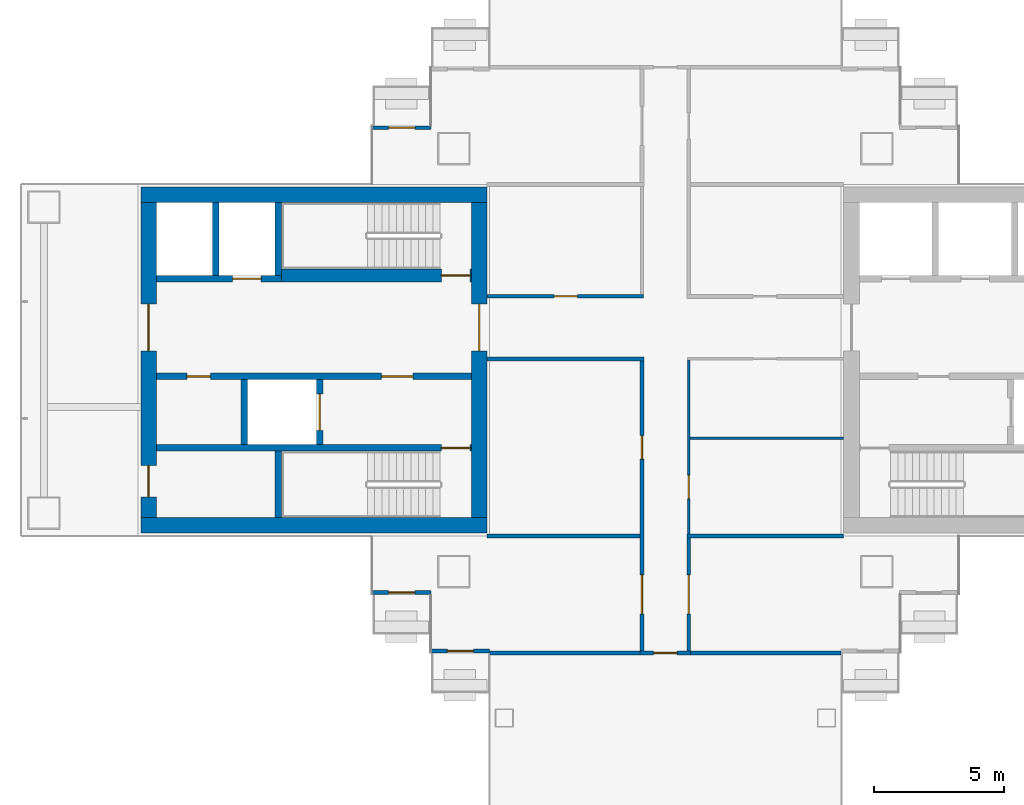
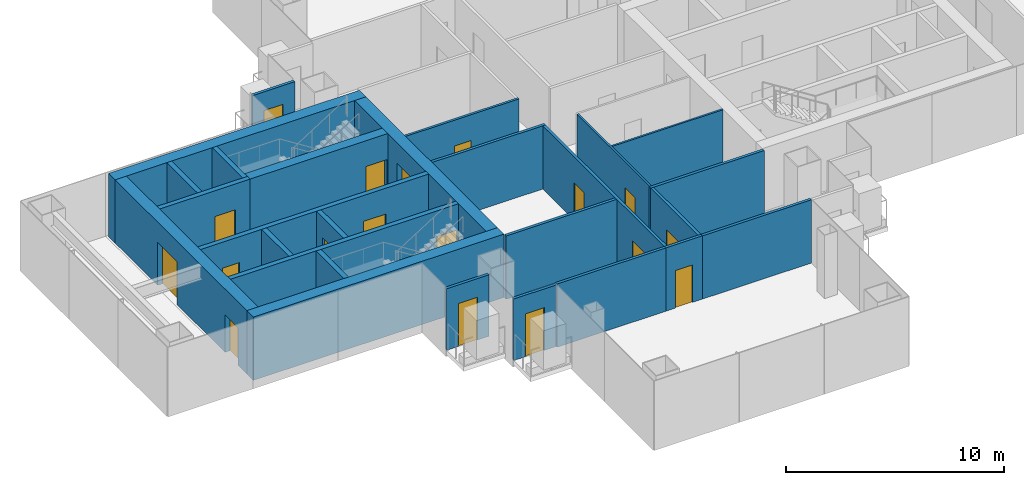
# One storey, part 12 of 20: 27 walls, 18 doors, 18 openings.
"""IFC4 building model written with IfcOpenShell, lengths in metres."""

from ifc_helpers import new_model, si_unit, direction, frame, frame_2d, origin, place, context, subcontext, project, spatial, rectangle, extrude, material, layer, layer_set, type_object, element, fill, save


model = new_model("IFC4")

# Units and contexts
model_context = context("Model", 3, precision=1e-05, world=origin(), true_north=direction((0.0, 1.0)))
body_context = subcontext(model_context, "Body", "Model", "MODEL_VIEW")
ifc_project = project(units=[si_unit("LENGTHUNIT", "METRE"), si_unit("AREAUNIT", "SQUARE_METRE"), si_unit("VOLUMEUNIT", "CUBIC_METRE"), si_unit("PLANEANGLEUNIT", "RADIAN"), si_unit("MASSUNIT", "GRAM", prefix="KILO")], contexts=[model_context])

# Site, building, storey
site_placement = place(None, origin())
site = spatial("IfcSite", under=ifc_project, at=site_placement, CompositionType="ELEMENT")
building_placement = place(site_placement, origin())
building = spatial("IfcBuilding", under=site, at=building_placement, Name="Shamsa Quay Exchange Towers", CompositionType="ELEMENT")
storey_placement = place(building_placement, frame((0.0, 0.0, 101.39990234375)))
storey = spatial("IfcBuildingStorey", under=building, at=storey_placement, Name="L23", CompositionType="ELEMENT", Elevation=101.39990234375)

# Wall, opening, door
ifc_material_1 = material(Name="Aluminium EN AW-6063 T6, black anodised, with black enamelled glass infill", Category="aluminium")
ifc_layer_1 = layer(ifc_material_1, 0.14990234375)
ifc_layer_set_1 = layer_set([ifc_layer_1], Name="BALCONY DOOR BAY WALL 150")
wall_type_1 = type_object("IfcWallType", Name="BALCONY DOOR BAY WALL 150", PredefinedType="SOLIDWALL", material=ifc_layer_set_1)
wall_1_placement = place(storey_placement, frame((-45.0, 8.925048828125, 0.0)))
wall_1 = element("IfcWall", 1, at=wall_1_placement, inside=storey, type_object=wall_type_1, Name="Door bay T1-PKWN L23", PredefinedType="SOLIDWALL", context=body_context, shape_type="SweptSolid", body=[
    extrude(rectangle(XDim=2.25, YDim=0.14990234375, at=frame_2d((1.125, 0.0))), origin(), (0.0, 0.0, 1.0), 3.4501953125),
])
opening_1_placement = place(wall_1_placement, frame((0.625, 0.0, 0.0)))
opening_1 = element("IfcOpeningElement", 2, at=opening_1_placement, cuts=wall_1, Name="Opening XD150", PredefinedType="OPENING", context=body_context, shape_type="SweptSolid", body=[
    extrude(rectangle(XDim=1.0, YDim=2.39990234375, at=frame_2d((0.5, 1.199951171875))), frame((0.0, 0.0849609375, 0.0), z_axis=(0.0, -1.0, 0.0), x_axis=(1.0, 0.0, 0.0)), (0.0, 0.0, 1.0), 0.169921875),
])
ifc_material_2 = material(Name="Aluminium EN AW-6063 T6, black anodised, with laminated glass leaf", Category="aluminium")
door_type_1 = type_object("IfcDoorType", Name="BALCONY DOOR 1000x2400", OperationType="SINGLE_SWING_LEFT", PredefinedType="DOOR", material=ifc_material_2)
door_1_placement = place(opening_1_placement, origin())
door_1 = element("IfcDoor", 3, at=door_1_placement, inside=storey, type_object=door_type_1, Name="Balcony door T1-PKWN L23", OperationType="SINGLE_SWING_RIGHT", OverallHeight=2.39990234375, OverallWidth=1.0, PredefinedType="DOOR", context=body_context, shape_type="SweptSolid", body=[
    extrude(rectangle(XDim=1.0, YDim=2.39990234375, at=frame_2d((0.5, 1.199951171875))), frame((0.0, 0.02490234375, 0.0), z_axis=(0.0, -1.0, 0.0), x_axis=(1.0, 0.0, 0.0)), (0.0, 0.0, 1.0), 0.050048828125),
])
fill(opening_1, door_1)

wall_2_placement = place(storey_placement, frame((-42.75, -8.925048828125, 0.0), z_axis=(0.0, 0.0, 1.0), x_axis=(-1.0, 0.0, 0.0)))
wall_2 = element("IfcWall", 4, at=wall_2_placement, inside=storey, type_object=wall_type_1, Name="Door bay T1-PKWS L23", PredefinedType="SOLIDWALL", context=body_context, shape_type="SweptSolid", body=[
    extrude(rectangle(XDim=2.25, YDim=0.14990234375, at=frame_2d((1.125, 0.0))), origin(), (0.0, 0.0, 1.0), 3.4501953125),
])
opening_2_placement = place(wall_2_placement, frame((0.625, 0.0, 0.0)))
opening_2 = element("IfcOpeningElement", 5, at=opening_2_placement, cuts=wall_2, Name="Opening XD151", PredefinedType="OPENING", context=body_context, shape_type="SweptSolid", body=[
    extrude(rectangle(XDim=1.0, YDim=2.39990234375, at=frame_2d((0.5, 1.199951171875))), frame((0.0, 0.0849609375, 0.0), z_axis=(0.0, -1.0, 0.0), x_axis=(1.0, 0.0, 0.0)), (0.0, 0.0, 1.0), 0.169921875),
])
door_2_placement = place(opening_2_placement, origin())
door_2 = element("IfcDoor", 6, at=door_2_placement, inside=storey, type_object=door_type_1, Name="Balcony door T1-PKWS L23", OperationType="SINGLE_SWING_LEFT", OverallHeight=2.39990234375, OverallWidth=1.0, PredefinedType="DOOR", context=body_context, shape_type="SweptSolid", body=[
    extrude(rectangle(XDim=1.0, YDim=2.39990234375, at=frame_2d((0.5, 1.199951171875))), frame((0.0, 0.02490234375, 0.0), z_axis=(0.0, -1.0, 0.0), x_axis=(1.0, 0.0, 0.0)), (0.0, 0.0, 1.0), 0.050048828125),
])
fill(opening_2, door_2)

wall_3_placement = place(storey_placement, frame((-40.5, -11.175048828125, 0.0), z_axis=(0.0, 0.0, 1.0), x_axis=(-1.0, 0.0, 0.0)))
wall_3 = element("IfcWall", 7, at=wall_3_placement, inside=storey, type_object=wall_type_1, Name="Door bay T1-PKWS L23", PredefinedType="SOLIDWALL", context=body_context, shape_type="SweptSolid", body=[
    extrude(rectangle(XDim=2.25, YDim=0.14990234375, at=frame_2d((1.125, 0.0))), origin(), (0.0, 0.0, 1.0), 3.4501953125),
])
opening_3_placement = place(wall_3_placement, frame((0.625, 0.0, 0.0)))
opening_3 = element("IfcOpeningElement", 8, at=opening_3_placement, cuts=wall_3, Name="Opening XD152", PredefinedType="OPENING", context=body_context, shape_type="SweptSolid", body=[
    extrude(rectangle(XDim=1.0, YDim=2.39990234375, at=frame_2d((0.5, 1.199951171875))), frame((0.0, 0.0849609375, 0.0), z_axis=(0.0, -1.0, 0.0), x_axis=(1.0, 0.0, 0.0)), (0.0, 0.0, 1.0), 0.169921875),
])
door_3_placement = place(opening_3_placement, origin())
door_3 = element("IfcDoor", 9, at=door_3_placement, inside=storey, type_object=door_type_1, Name="Balcony door T1-PKWS L23", OperationType="SINGLE_SWING_RIGHT", OverallHeight=2.39990234375, OverallWidth=1.0, PredefinedType="DOOR", context=body_context, shape_type="SweptSolid", body=[
    extrude(rectangle(XDim=1.0, YDim=2.39990234375, at=frame_2d((0.5, 1.199951171875))), frame((0.0, 0.02490234375, 0.0), z_axis=(0.0, -1.0, 0.0), x_axis=(1.0, 0.0, 0.0)), (0.0, 0.0, 1.0), 0.050048828125),
])
fill(opening_3, door_3)

# Walls
ifc_material_3 = material(Name="Concrete C70/85", Category="concrete")
ifc_layer_2 = layer(ifc_material_3, 0.60009765625)
ifc_layer_set_2 = layer_set([ifc_layer_2], Name="CORE WALL 600 C70/85")
wall_type_2 = type_object("IfcWallType", Name="CORE WALL 600 C70/85", PredefinedType="SHEAR", material=ifc_layer_set_2)
for number, where, z_axis, x_axis, name in (
    (10, (-40.60009765625, -6.35009765625, 0.0), (0.0, 0.0, 1.0), (-1.0, 0.0, 0.0), "Core wall T1B-R10-PS"),
    (11, (-40.60009765625, 6.35009765625, 0.0), (0.0, 0.0, 1.0), (-1.0, 0.0, 0.0), "Core wall T1B-R10-PN"),
):
    element("IfcWall", number, at=place(storey_placement, frame(where, z_axis=z_axis, x_axis=x_axis)), inside=storey, type_object=wall_type_2, Name=name, PredefinedType="SHEAR", context=body_context, shape_type="SweptSolid", body=[
        extrude(rectangle(XDim=13.2998046875, YDim=0.60009765625, at=frame_2d((6.64990234375, 0.0))), origin(), (0.0, 0.0, 1.0), 3.550048828125),
    ])

# Wall, opening, door
wall_4_placement = place(storey_placement, frame((-40.89990234375, -6.050048828125, 0.0), z_axis=(0.0, 0.0, 1.0), x_axis=(0.0, 1.0, 0.0)))
wall_4 = element("IfcWall", 12, at=wall_4_placement, inside=storey, type_object=wall_type_2, Name="Core wall T1B-R10-PF", PredefinedType="SHEAR", context=body_context, shape_type="SweptSolid", body=[
    extrude(rectangle(XDim=12.10009765625, YDim=0.60009765625, at=frame_2d((6.050048828125, 0.0))), origin(), (0.0, 0.0, 1.0), 3.550048828125),
])
opening_4_placement = place(wall_4_placement, frame((6.39990234375, 0.0, 0.0)))
opening_4 = element("IfcOpeningElement", 13, at=opening_4_placement, cuts=wall_4, Name="Opening T1B-R10-LBD01", PredefinedType="OPENING", context=body_context, shape_type="SweptSolid", body=[
    extrude(rectangle(XDim=1.800048828125, YDim=2.39990234375, at=frame_2d((0.89990234375, 1.199951171875))), frame((0.0, 0.31005859375, 0.0), z_axis=(0.0, -1.0, 0.0), x_axis=(1.0, 0.0, 0.0)), (0.0, 0.0, 1.0), 0.6201171875),
])
ifc_material_4 = material(Name="Steel, fire rated", Category="steel")
door_type_2 = type_object("IfcDoorType", Name="LIFT LOBBY DOOR PAIR 1800", OperationType="DOUBLE_DOOR_SINGLE_SWING", PredefinedType="DOOR", material=ifc_material_4)
door_4_placement = place(opening_4_placement, origin())
door_4 = element("IfcDoor", 14, at=door_4_placement, inside=storey, type_object=door_type_2, Name="T1B-R10-LBD01", OperationType="DOUBLE_DOOR_SINGLE_SWING", OverallHeight=2.39990234375, OverallWidth=1.800048828125, PredefinedType="DOOR", context=body_context, shape_type="SweptSolid", body=[
    extrude(rectangle(XDim=1.800048828125, YDim=2.39990234375, at=frame_2d((0.89990234375, 1.199951171875))), frame((0.0, 0.02490234375, 0.0), z_axis=(0.0, -1.0, 0.0), x_axis=(1.0, 0.0, 0.0)), (0.0, 0.0, 1.0), 0.050048828125),
])
fill(opening_4, door_4)

# Wall, openings, doors
wall_5_placement = place(storey_placement, frame((-53.60009765625, -6.050048828125, 0.0), z_axis=(0.0, 0.0, 1.0), x_axis=(0.0, 1.0, 0.0)))
wall_5 = element("IfcWall", 15, at=wall_5_placement, inside=storey, type_object=wall_type_2, Name="Core wall T1B-R10-PB", PredefinedType="SHEAR", context=body_context, shape_type="SweptSolid", body=[
    extrude(rectangle(XDim=12.10009765625, YDim=0.60009765625, at=frame_2d((6.050048828125, 0.0))), origin(), (0.0, 0.0, 1.0), 3.550048828125),
])
opening_5_placement = place(wall_5_placement, frame((0.800048828125, 0.0, 0.0)))
opening_5 = element("IfcOpeningElement", 16, at=opening_5_placement, cuts=wall_5, Name="Opening T1B-R10-RD02", PredefinedType="OPENING", context=body_context, shape_type="SweptSolid", body=[
    extrude(rectangle(XDim=1.199951171875, YDim=2.10009765625, at=frame_2d((0.60009765625, 1.050048828125))), frame((0.0, 0.31005859375, 0.0), z_axis=(0.0, -1.0, 0.0), x_axis=(1.0, 0.0, 0.0)), (0.0, 0.0, 1.0), 0.6201171875),
])
opening_6_placement = place(wall_5_placement, frame((6.39990234375, 0.0, 0.0)))
opening_6 = element("IfcOpeningElement", 17, at=opening_6_placement, cuts=wall_5, Name="Opening T1B-R10-LBD03", PredefinedType="OPENING", context=body_context, shape_type="SweptSolid", body=[
    extrude(rectangle(XDim=1.800048828125, YDim=2.39990234375, at=frame_2d((0.89990234375, 1.199951171875))), frame((0.0, 0.31005859375, 0.0), z_axis=(0.0, -1.0, 0.0), x_axis=(1.0, 0.0, 0.0)), (0.0, 0.0, 1.0), 0.6201171875),
])
door_5_placement = place(opening_6_placement, origin())
door_5 = element("IfcDoor", 18, at=door_5_placement, inside=storey, type_object=door_type_2, Name="T1B-R10-LBD03", OperationType="DOUBLE_DOOR_SINGLE_SWING", OverallHeight=2.39990234375, OverallWidth=1.800048828125, PredefinedType="DOOR", context=body_context, shape_type="SweptSolid", body=[
    extrude(rectangle(XDim=1.800048828125, YDim=2.39990234375, at=frame_2d((0.89990234375, 1.199951171875))), frame((0.0, 0.02490234375, 0.0), z_axis=(0.0, -1.0, 0.0), x_axis=(1.0, 0.0, 0.0)), (0.0, 0.0, 1.0), 0.050048828125),
])
fill(opening_6, door_5)
door_type_3 = type_object("IfcDoorType", Name="RISER ACCESS DOOR 1200", OperationType="SINGLE_SWING_LEFT", PredefinedType="DOOR", material=ifc_material_4)
door_6_placement = place(opening_5_placement, origin())
door_6 = element("IfcDoor", 19, at=door_6_placement, inside=storey, type_object=door_type_3, Name="T1B-R10-RD02", OperationType="SINGLE_SWING_LEFT", OverallHeight=2.10009765625, OverallWidth=1.199951171875, PredefinedType="DOOR", context=body_context, shape_type="SweptSolid", body=[
    extrude(rectangle(XDim=1.199951171875, YDim=2.10009765625, at=frame_2d((0.60009765625, 1.050048828125))), frame((0.0, 0.02490234375, 0.0), z_axis=(0.0, -1.0, 0.0), x_axis=(1.0, 0.0, 0.0)), (0.0, 0.0, 1.0), 0.050048828125),
])
fill(opening_5, door_6)

# Wall, opening, door
ifc_material_5 = material(Name="Laminated fire-resisting glass in a metal frame", Category="glass")
ifc_layer_3 = layer(ifc_material_5, 0.125)
ifc_layer_set_3 = layer_set([ifc_layer_3], Name="Glazed partition 125 mm EI 60")
wall_type_3 = type_object("IfcWallType", Name="Glazed partition 125 mm EI 60", PredefinedType="PARTITIONING", material=ifc_layer_set_3)
wall_6_placement = place(storey_placement, frame((-40.60009765625, 2.4501953125, 0.0)))
wall_6 = element("IfcWall", 20, at=wall_6_placement, inside=storey, type_object=wall_type_3, Name="Partition T1-R10-W06", PredefinedType="PARTITIONING", context=body_context, shape_type="SweptSolid", body=[
    extrude(rectangle(XDim=6.01220703125, YDim=0.125, at=frame_2d((3.006103515625, 0.0))), origin(), (0.0, 0.0, 1.0), 3.550048828125),
])
opening_7_placement = place(wall_6_placement, frame((2.57470703125, 0.0, 0.0)))
opening_7 = element("IfcOpeningElement", 21, at=opening_7_placement, cuts=wall_6, Name="Opening T1-R10-D01", PredefinedType="OPENING", context=body_context, shape_type="SweptSolid", body=[
    extrude(rectangle(XDim=0.89990234375, YDim=2.10009765625, at=frame_2d((0.449951171875, 1.050048828125))), frame((0.0, 0.072509765625, 0.0), z_axis=(0.0, -1.0, 0.0), x_axis=(1.0, 0.0, 0.0)), (0.0, 0.0, 1.0), 0.14501953125),
])
ifc_material_6 = material(Name="Timber door leaf in a metal frame", Category="wood")
door_type_4 = type_object("IfcDoorType", Name="Door 900x2100 FD30S", OperationType="NOTDEFINED", PredefinedType="DOOR", material=ifc_material_6)
door_7_placement = place(opening_7_placement, origin())
door_7 = element("IfcDoor", 22, at=door_7_placement, inside=storey, type_object=door_type_4, Name="Door T1-R10-D01", OperationType="SINGLE_SWING_LEFT", OverallHeight=2.10009765625, OverallWidth=0.89990234375, PredefinedType="DOOR", context=body_context, shape_type="SweptSolid", body=[
    extrude(rectangle(XDim=0.89990234375, YDim=2.10009765625, at=frame_2d((0.449951171875, 1.050048828125))), frame((0.0, 0.02490234375, 0.0), z_axis=(0.0, -1.0, 0.0), x_axis=(1.0, 0.0, 0.0)), (0.0, 0.0, 1.0), 0.050048828125),
])
fill(opening_7, door_7)

ifc_material_7 = material(Name="Gypsum board partition on metal studs")
ifc_layer_4 = layer(ifc_material_7, 0.10009765625)
ifc_layer_set_4 = layer_set([ifc_layer_4], Name="Partition 100 mm NOT RATED")
wall_type_4 = type_object("IfcWallType", Name="Partition 100 mm NOT RATED", PredefinedType="PARTITIONING", material=ifc_layer_set_4)
wall_7_placement = place(storey_placement, frame((-32.849609375, -0.000244140625, 0.0), z_axis=(0.0, 0.0, 1.0), x_axis=(0.0, -1.0, 0.0)))
wall_7 = element("IfcWall", 23, at=wall_7_placement, inside=storey, type_object=wall_type_4, Name="Partition T1-R10-W04", PredefinedType="PARTITIONING", context=body_context, shape_type="SweptSolid", body=[
    extrude(rectangle(XDim=6.6748046875, YDim=0.10009765625, at=frame_2d((3.33740234375, 0.0))), origin(), (0.0, 0.0, 1.0), 3.550048828125),
])
opening_8_placement = place(wall_7_placement, frame((4.4248046875, 0.0, 0.0)))
opening_8 = element("IfcOpeningElement", 24, at=opening_8_placement, cuts=wall_7, Name="Opening T1-R10-D08", PredefinedType="OPENING", context=body_context, shape_type="SweptSolid", body=[
    extrude(rectangle(XDim=0.89990234375, YDim=2.10009765625, at=frame_2d((0.449951171875, 1.050048828125))), frame((0.0, 0.06005859375, 0.0), z_axis=(0.0, -1.0, 0.0), x_axis=(1.0, 0.0, 0.0)), (0.0, 0.0, 1.0), 0.1201171875),
])
door_type_5 = type_object("IfcDoorType", Name="Door 900x2100 NOT RATED", OperationType="NOTDEFINED", PredefinedType="DOOR", material=ifc_material_6)
door_8_placement = place(opening_8_placement, origin())
door_8 = element("IfcDoor", 25, at=door_8_placement, inside=storey, type_object=door_type_5, Name="Door T1-R10-D08", OperationType="SINGLE_SWING_LEFT", OverallHeight=2.10009765625, OverallWidth=0.89990234375, PredefinedType="DOOR", context=body_context, shape_type="SweptSolid", body=[
    extrude(rectangle(XDim=0.89990234375, YDim=2.10009765625, at=frame_2d((0.449951171875, 1.050048828125))), frame((0.0, 0.02490234375, 0.0), z_axis=(0.0, -1.0, 0.0), x_axis=(1.0, 0.0, 0.0)), (0.0, 0.0, 1.0), 0.050048828125),
])
fill(opening_8, door_8)

# Wall
wall_8_placement = place(storey_placement, frame((-26.89990234375, -3.0, 0.0), z_axis=(0.0, 0.0, 1.0), x_axis=(-1.0, 0.0, 0.0)))
element("IfcWall", 26, at=wall_8_placement, inside=storey, type_object=wall_type_4, Name="Partition T1-R10-W16", PredefinedType="PARTITIONING", context=body_context, shape_type="SweptSolid", body=[
    extrude(rectangle(XDim=5.899658203125, YDim=0.10009765625, at=frame_2d((2.94970703125, 0.0))), origin(), (0.0, 0.0, 1.0), 3.550048828125),
])

# Wall, opening, door
ifc_layer_5 = layer(ifc_material_7, 0.14990234375)
ifc_layer_set_5 = layer_set([ifc_layer_5], Name="Partition 150 mm EI 60")
wall_type_5 = type_object("IfcWallType", Name="Partition 150 mm EI 60", PredefinedType="PARTITIONING", material=ifc_layer_set_5)
wall_9_placement = place(storey_placement, frame((-32.849609375, -6.824951171875, 0.0), z_axis=(0.0, 0.0, 1.0), x_axis=(0.0, -1.0, 0.0)))
wall_9 = element("IfcWall", 27, at=wall_9_placement, inside=storey, type_object=wall_type_5, Name="Partition T1-R10-W02", PredefinedType="PARTITIONING", context=body_context, shape_type="SweptSolid", body=[
    extrude(rectangle(XDim=4.35009765625, YDim=0.14990234375, at=frame_2d((2.175048828125, 0.0))), origin(), (0.0, 0.0, 1.0), 3.550048828125),
])
opening_9_placement = place(wall_9_placement, frame((1.425048828125, 0.0, 0.0)))
opening_9 = element("IfcOpeningElement", 28, at=opening_9_placement, cuts=wall_9, Name="Opening T1-R10-D07", PredefinedType="OPENING", context=body_context, shape_type="SweptSolid", body=[
    extrude(rectangle(XDim=1.5, YDim=2.10009765625, at=frame_2d((0.75, 1.050048828125))), frame((0.0, 0.0849609375, 0.0), z_axis=(0.0, -1.0, 0.0), x_axis=(1.0, 0.0, 0.0)), (0.0, 0.0, 1.0), 0.169921875),
])
door_type_6 = type_object("IfcDoorType", Name="Door 1500x2100 FD30S pair", OperationType="NOTDEFINED", PredefinedType="DOOR", material=ifc_material_6)
door_9_placement = place(opening_9_placement, origin())
door_9 = element("IfcDoor", 29, at=door_9_placement, inside=storey, type_object=door_type_6, Name="Door T1-R10-D07", OperationType="DOUBLE_DOOR_SINGLE_SWING", OverallHeight=2.10009765625, OverallWidth=1.5, PredefinedType="DOOR", context=body_context, shape_type="SweptSolid", body=[
    extrude(rectangle(XDim=1.5, YDim=2.10009765625, at=frame_2d((0.75, 1.050048828125))), frame((0.0, 0.02490234375, 0.0), z_axis=(0.0, -1.0, 0.0), x_axis=(1.0, 0.0, 0.0)), (0.0, 0.0, 1.0), 0.050048828125),
])
fill(opening_9, door_9)

# Wall, openings, doors
wall_10_placement = place(storey_placement, frame((-34.650390625, -11.175048828125, 0.0), z_axis=(0.0, 0.0, 1.0), x_axis=(0.0, 1.0, 0.0)))
wall_10 = element("IfcWall", 30, at=wall_10_placement, inside=storey, type_object=wall_type_5, Name="Partition T1-R10-W08", PredefinedType="PARTITIONING", context=body_context, shape_type="SweptSolid", body=[
    extrude(rectangle(XDim=11.14990234375, YDim=0.14990234375, at=frame_2d((5.574951171875, 0.0))), origin(), (0.0, 0.0, 1.0), 3.550048828125),
])
opening_10_placement = place(wall_10_placement, frame((1.425048828125, 0.0, 0.0)))
opening_10 = element("IfcOpeningElement", 31, at=opening_10_placement, cuts=wall_10, Name="Opening T1-R10-D02", PredefinedType="OPENING", context=body_context, shape_type="SweptSolid", body=[
    extrude(rectangle(XDim=1.5, YDim=2.10009765625, at=frame_2d((0.75, 1.050048828125))), frame((0.0, 0.0849609375, 0.0), z_axis=(0.0, -1.0, 0.0), x_axis=(1.0, 0.0, 0.0)), (0.0, 0.0, 1.0), 0.169921875),
])
opening_11_placement = place(wall_10_placement, frame((7.375, 0.0, 0.0)))
opening_11 = element("IfcOpeningElement", 32, at=opening_11_placement, cuts=wall_10, Name="Opening T1-R10-D03", PredefinedType="OPENING", context=body_context, shape_type="SweptSolid", body=[
    extrude(rectangle(XDim=0.89990234375, YDim=2.10009765625, at=frame_2d((0.449951171875, 1.050048828125))), frame((0.0, 0.0849609375, 0.0), z_axis=(0.0, -1.0, 0.0), x_axis=(1.0, 0.0, 0.0)), (0.0, 0.0, 1.0), 0.169921875),
])
door_10_placement = place(opening_10_placement, origin())
door_10 = element("IfcDoor", 33, at=door_10_placement, inside=storey, type_object=door_type_6, Name="Door T1-R10-D02", OperationType="DOUBLE_DOOR_SINGLE_SWING", OverallHeight=2.10009765625, OverallWidth=1.5, PredefinedType="DOOR", context=body_context, shape_type="SweptSolid", body=[
    extrude(rectangle(XDim=1.5, YDim=2.10009765625, at=frame_2d((0.75, 1.050048828125))), frame((0.0, 0.02490234375, 0.0), z_axis=(0.0, -1.0, 0.0), x_axis=(1.0, 0.0, 0.0)), (0.0, 0.0, 1.0), 0.050048828125),
])
fill(opening_10, door_10)
door_11_placement = place(opening_11_placement, origin())
door_11 = element("IfcDoor", 34, at=door_11_placement, inside=storey, type_object=door_type_4, Name="Door T1-R10-D03", OperationType="SINGLE_SWING_RIGHT", OverallHeight=2.10009765625, OverallWidth=0.89990234375, PredefinedType="DOOR", context=body_context, shape_type="SweptSolid", body=[
    extrude(rectangle(XDim=0.89990234375, YDim=2.10009765625, at=frame_2d((0.449951171875, 1.050048828125))), frame((0.0, 0.02490234375, 0.0), z_axis=(0.0, -1.0, 0.0), x_axis=(1.0, 0.0, 0.0)), (0.0, 0.0, 1.0), 0.050048828125),
])
fill(opening_11, door_11)

# Wall
wall_11_placement = place(storey_placement, frame((-34.575439453125, 0.0498046875, 0.0), z_axis=(0.0, 0.0, 1.0), x_axis=(-1.0, 0.0, 0.0)))
element("IfcWall", 35, at=wall_11_placement, inside=storey, type_object=wall_type_5, Name="Partition T1-R10-W10", PredefinedType="PARTITIONING", context=body_context, shape_type="SweptSolid", body=[
    extrude(rectangle(XDim=6.024658203125, YDim=0.14990234375, at=frame_2d((3.01220703125, 0.0))), origin(), (0.0, 0.0, 1.0), 3.550048828125),
])

# Wall, opening, door
wall_12_placement = place(storey_placement, frame((-32.774658203125, -11.25, 0.0), z_axis=(0.0, 0.0, 1.0), x_axis=(-1.0, 0.0, 0.0)))
wall_12 = element("IfcWall", 36, at=wall_12_placement, inside=storey, type_object=wall_type_5, Name="Partition T1-R10-W12", PredefinedType="PARTITIONING", context=body_context, shape_type="SweptSolid", body=[
    extrude(rectangle(XDim=1.95068359375, YDim=0.14990234375, at=frame_2d((0.975341796875, 0.0))), origin(), (0.0, 0.0, 1.0), 3.550048828125),
])
opening_12_placement = place(wall_12_placement, frame((0.525390625, 0.0, 0.0)))
opening_12 = element("IfcOpeningElement", 37, at=opening_12_placement, cuts=wall_12, Name="Opening T1-R10-D06", PredefinedType="OPENING", context=body_context, shape_type="SweptSolid", body=[
    extrude(rectangle(XDim=0.89990234375, YDim=2.10009765625, at=frame_2d((0.449951171875, 1.050048828125))), frame((0.0, 0.0849609375, 0.0), z_axis=(0.0, -1.0, 0.0), x_axis=(1.0, 0.0, 0.0)), (0.0, 0.0, 1.0), 0.169921875),
])
door_12_placement = place(opening_12_placement, origin())
door_12 = element("IfcDoor", 38, at=door_12_placement, inside=storey, type_object=door_type_4, Name="Door T1-R10-D06", OperationType="SINGLE_SWING_LEFT", OverallHeight=2.10009765625, OverallWidth=0.89990234375, PredefinedType="DOOR", context=body_context, shape_type="SweptSolid", body=[
    extrude(rectangle(XDim=0.89990234375, YDim=2.10009765625, at=frame_2d((0.449951171875, 1.050048828125))), frame((0.0, 0.02490234375, 0.0), z_axis=(0.0, -1.0, 0.0), x_axis=(1.0, 0.0, 0.0)), (0.0, 0.0, 1.0), 0.050048828125),
])
fill(opening_12, door_12)

# Walls
wall_13_placement = place(storey_placement, frame((-40.60009765625, -6.75, 0.0)))
element("IfcWall", 39, at=wall_13_placement, inside=storey, type_object=wall_type_5, Name="Partition T1-R10-W17", PredefinedType="PARTITIONING", context=body_context, shape_type="SweptSolid", body=[
    extrude(rectangle(XDim=5.874755859375, YDim=0.14990234375, at=frame_2d((2.9375, 0.0))), origin(), (0.0, 0.0, 1.0), 3.550048828125),
])
wall_14_placement = place(storey_placement, frame((-32.924560546875, -6.75, 0.0)))
element("IfcWall", 40, at=wall_14_placement, inside=storey, type_object=wall_type_5, Name="Partition T1-R10-W18", PredefinedType="PARTITIONING", context=body_context, shape_type="SweptSolid", body=[
    extrude(rectangle(XDim=6.024658203125, YDim=0.14990234375, at=frame_2d((3.01220703125, 0.0))), origin(), (0.0, 0.0, 1.0), 3.550048828125),
])
for number, where, name in (
    (41, (-40.5, -11.25, 0.0), "Partition T1-R10-W21"),
    (42, (-32.924560546875, -11.25, 0.0), "Partition T1-R10-W22"),
):
    element("IfcWall", number, at=place(storey_placement, frame(where)), inside=storey, type_object=wall_type_5, Name=name, PredefinedType="PARTITIONING", context=body_context, shape_type="SweptSolid", body=[
        extrude(rectangle(XDim=5.924560546875, YDim=0.14990234375, at=frame_2d((2.96240234375, 0.0))), origin(), (0.0, 0.0, 1.0), 3.550048828125),
    ])

# Wall, opening, door
ifc_material_8 = material(Name="Concrete C50/60", Category="concrete")
ifc_layer_6 = layer(ifc_material_8, 0.25)
ifc_layer_set_6 = layer_set([ifc_layer_6], Name="SHAFT WALL 250 C50/60")
wall_type_6 = type_object("IfcWallType", Name="SHAFT WALL 250 C50/60", PredefinedType="SHEAR", material=ifc_layer_set_6)
wall_15_placement = place(storey_placement, frame((-41.199951171875, -3.375, 0.0), z_axis=(0.0, 0.0, 1.0), x_axis=(-1.0, 0.0, 0.0)))
wall_15 = element("IfcWall", 43, at=wall_15_placement, inside=storey, type_object=wall_type_6, Name="Shaft wall T1B-R10-STL", PredefinedType="SHEAR", context=body_context, shape_type="SweptSolid", body=[
    extrude(rectangle(XDim=12.10009765625, YDim=0.25, at=frame_2d((6.050048828125, 0.0))), origin(), (0.0, 0.0, 1.0), 3.550048828125),
])
opening_13_placement = place(wall_15_placement, frame((0.050048828125, 0.0, 0.0)))
opening_13 = element("IfcOpeningElement", 44, at=opening_13_placement, cuts=wall_15, Name="Opening T1B-R10-SD04", PredefinedType="OPENING", context=body_context, shape_type="SweptSolid", body=[
    extrude(rectangle(XDim=1.10009765625, YDim=2.10009765625, at=frame_2d((0.550048828125, 1.050048828125))), frame((0.0, 0.135009765625, 0.0), z_axis=(0.0, -1.0, 0.0), x_axis=(1.0, 0.0, 0.0)), (0.0, 0.0, 1.0), 0.27001953125),
])
door_type_7 = type_object("IfcDoorType", Name="STAIR DOOR 1100", OperationType="SINGLE_SWING_LEFT", PredefinedType="DOOR", material=ifc_material_4)
door_13_placement = place(opening_13_placement, origin())
door_13 = element("IfcDoor", 45, at=door_13_placement, inside=storey, type_object=door_type_7, Name="T1B-R10-SD04", OperationType="SINGLE_SWING_LEFT", OverallHeight=2.10009765625, OverallWidth=1.10009765625, PredefinedType="DOOR", context=body_context, shape_type="SweptSolid", body=[
    extrude(rectangle(XDim=1.10009765625, YDim=2.10009765625, at=frame_2d((0.550048828125, 1.050048828125))), frame((0.0, 0.02490234375, 0.0), z_axis=(0.0, -1.0, 0.0), x_axis=(1.0, 0.0, 0.0)), (0.0, 0.0, 1.0), 0.050048828125),
])
fill(opening_13, door_13)

# Wall
wall_16_placement = place(storey_placement, frame((-48.625, -6.050048828125, 0.0), z_axis=(0.0, 0.0, 1.0), x_axis=(0.0, 1.0, 0.0)))
element("IfcWall", 46, at=wall_16_placement, inside=storey, type_object=wall_type_6, Name="Shaft wall T1B-R10-STF", PredefinedType="SHEAR", context=body_context, shape_type="SweptSolid", body=[
    extrude(rectangle(XDim=2.550048828125, YDim=0.25, at=frame_2d((1.27490234375, 0.0))), origin(), (0.0, 0.0, 1.0), 3.550048828125),
])

# Wall, openings, doors
wall_17_placement = place(storey_placement, frame((-41.199951171875, -0.625, 0.0), z_axis=(0.0, 0.0, 1.0), x_axis=(-1.0, 0.0, 0.0)))
wall_17 = element("IfcWall", 47, at=wall_17_placement, inside=storey, type_object=wall_type_6, Name="Shaft wall T1B-R10-B", PredefinedType="SHEAR", context=body_context, shape_type="SweptSolid", body=[
    extrude(rectangle(XDim=12.10009765625, YDim=0.25, at=frame_2d((6.050048828125, 0.0))), origin(), (0.0, 0.0, 1.0), 3.550048828125),
])
opening_14_placement = place(wall_17_placement, frame((2.25, 0.0, 0.0)))
opening_14 = element("IfcOpeningElement", 48, at=opening_14_placement, cuts=wall_17, Name="Opening T1B-R10-FD05", PredefinedType="OPENING", context=body_context, shape_type="SweptSolid", body=[
    extrude(rectangle(XDim=1.199951171875, YDim=2.10009765625, at=frame_2d((0.60009765625, 1.050048828125))), frame((0.0, 0.135009765625, 0.0), z_axis=(0.0, -1.0, 0.0), x_axis=(1.0, 0.0, 0.0)), (0.0, 0.0, 1.0), 0.27001953125),
])
opening_15_placement = place(wall_17_placement, frame((10.02490234375, 0.0, 0.0)))
opening_15 = element("IfcOpeningElement", 49, at=opening_15_placement, cuts=wall_17, Name="Opening T1B-R10-SV06", PredefinedType="OPENING", context=body_context, shape_type="SweptSolid", body=[
    extrude(rectangle(XDim=0.89990234375, YDim=2.10009765625, at=frame_2d((0.449951171875, 1.050048828125))), frame((0.0, 0.135009765625, 0.0), z_axis=(0.0, -1.0, 0.0), x_axis=(1.0, 0.0, 0.0)), (0.0, 0.0, 1.0), 0.27001953125),
])
door_type_8 = type_object("IfcDoorType", Name="FIRE SERVICE LOBBY DOOR 1200", OperationType="SINGLE_SWING_LEFT", PredefinedType="DOOR", material=ifc_material_4)
door_14_placement = place(opening_14_placement, origin())
door_14 = element("IfcDoor", 50, at=door_14_placement, inside=storey, type_object=door_type_8, Name="T1B-R10-FD05", OperationType="SINGLE_SWING_LEFT", OverallHeight=2.10009765625, OverallWidth=1.199951171875, PredefinedType="DOOR", context=body_context, shape_type="SweptSolid", body=[
    extrude(rectangle(XDim=1.199951171875, YDim=2.10009765625, at=frame_2d((0.60009765625, 1.050048828125))), frame((0.0, 0.02490234375, 0.0), z_axis=(0.0, -1.0, 0.0), x_axis=(1.0, 0.0, 0.0)), (0.0, 0.0, 1.0), 0.050048828125),
])
fill(opening_14, door_14)
door_type_9 = type_object("IfcDoorType", Name="SERVICE ROOM DOOR 900", OperationType="SINGLE_SWING_LEFT", PredefinedType="DOOR", material=ifc_material_4)
door_15_placement = place(opening_15_placement, origin())
door_15 = element("IfcDoor", 51, at=door_15_placement, inside=storey, type_object=door_type_9, Name="T1B-R10-SV06", OperationType="SINGLE_SWING_RIGHT", OverallHeight=2.10009765625, OverallWidth=0.89990234375, PredefinedType="DOOR", context=body_context, shape_type="SweptSolid", body=[
    extrude(rectangle(XDim=0.89990234375, YDim=2.10009765625, at=frame_2d((0.449951171875, 1.050048828125))), frame((0.0, 0.02490234375, 0.0), z_axis=(0.0, -1.0, 0.0), x_axis=(1.0, 0.0, 0.0)), (0.0, 0.0, 1.0), 0.050048828125),
])
fill(opening_15, door_15)

# Wall, opening, door
wall_18_placement = place(storey_placement, frame((-47.02490234375, -3.25, 0.0), z_axis=(0.0, 0.0, 1.0), x_axis=(0.0, 1.0, 0.0)))
wall_18 = element("IfcWall", 52, at=wall_18_placement, inside=storey, type_object=wall_type_6, Name="Shaft wall T1B-R10-FFF", PredefinedType="SHEAR", context=body_context, shape_type="SweptSolid", body=[
    extrude(rectangle(XDim=2.5, YDim=0.25, at=frame_2d((1.25, 0.0))), origin(), (0.0, 0.0, 1.0), 3.550048828125),
])
opening_16_placement = place(wall_18_placement, frame((0.550048828125, 0.0, 0.0)))
opening_16 = element("IfcOpeningElement", 53, at=opening_16_placement, cuts=wall_18, Name="Opening T1B-R10-LDG07", PredefinedType="OPENING", context=body_context, shape_type="SweptSolid", body=[
    extrude(rectangle(XDim=1.39990234375, YDim=2.39990234375, at=frame_2d((0.699951171875, 1.199951171875))), frame((0.0, 0.135009765625, 0.0), z_axis=(0.0, -1.0, 0.0), x_axis=(1.0, 0.0, 0.0)), (0.0, 0.0, 1.0), 0.27001953125),
])
door_type_10 = type_object("IfcDoorType", Name="GOODS LIFT LANDING DOOR 1400", OperationType="SLIDING_TO_LEFT", PredefinedType="DOOR", material=ifc_material_4)
door_16_placement = place(opening_16_placement, origin())
door_16 = element("IfcDoor", 54, at=door_16_placement, inside=storey, type_object=door_type_10, Name="T1B-R10-LDG07", OperationType="SLIDING_TO_LEFT", OverallHeight=2.39990234375, OverallWidth=1.39990234375, PredefinedType="DOOR", context=body_context, shape_type="SweptSolid", body=[
    extrude(rectangle(XDim=1.39990234375, YDim=2.39990234375, at=frame_2d((0.699951171875, 1.199951171875))), frame((0.0, 0.02490234375, 0.0), z_axis=(0.0, -1.0, 0.0), x_axis=(1.0, 0.0, 0.0)), (0.0, 0.0, 1.0), 0.050048828125),
])
fill(opening_16, door_16)

# Wall
wall_19_placement = place(storey_placement, frame((-49.925048828125, -3.25, 0.0), z_axis=(0.0, 0.0, 1.0), x_axis=(0.0, 1.0, 0.0)))
element("IfcWall", 55, at=wall_19_placement, inside=storey, type_object=wall_type_6, Name="Shaft wall T1B-R10-FFB", PredefinedType="SHEAR", context=body_context, shape_type="SweptSolid", body=[
    extrude(rectangle(XDim=2.5, YDim=0.25, at=frame_2d((1.25, 0.0))), origin(), (0.0, 0.0, 1.0), 3.550048828125),
])

# Wall, opening, door
wall_20_placement = place(storey_placement, frame((-48.5, 3.125, 0.0), z_axis=(0.0, 0.0, 1.0), x_axis=(-1.0, 0.0, 0.0)))
wall_20 = element("IfcWall", 56, at=wall_20_placement, inside=storey, type_object=wall_type_6, Name="Shaft wall T1B-R10-N2", PredefinedType="SHEAR", context=body_context, shape_type="SweptSolid", body=[
    extrude(rectangle(XDim=4.800048828125, YDim=0.25, at=frame_2d((2.39990234375, 0.0))), origin(), (0.0, 0.0, 1.0), 3.550048828125),
])
opening_17_placement = place(wall_20_placement, frame((0.77490234375, 0.0, 0.0)))
opening_17 = element("IfcOpeningElement", 57, at=opening_17_placement, cuts=wall_20, Name="Opening T1B-R10-LD09", PredefinedType="OPENING", context=body_context, shape_type="SweptSolid", body=[
    extrude(rectangle(XDim=1.10009765625, YDim=2.10009765625, at=frame_2d((0.550048828125, 1.050048828125))), frame((0.0, 0.135009765625, 0.0), z_axis=(0.0, -1.0, 0.0), x_axis=(1.0, 0.0, 0.0)), (0.0, 0.0, 1.0), 0.27001953125),
])
door_type_11 = type_object("IfcDoorType", Name="LANDING DOOR 1100", OperationType="SLIDING_TO_LEFT", PredefinedType="DOOR", material=ifc_material_4)
door_17_placement = place(opening_17_placement, origin())
door_17 = element("IfcDoor", 58, at=door_17_placement, inside=storey, type_object=door_type_11, Name="T1B-R10-LD09", OperationType="SLIDING_TO_LEFT", OverallHeight=2.10009765625, OverallWidth=1.10009765625, PredefinedType="DOOR", context=body_context, shape_type="SweptSolid", body=[
    extrude(rectangle(XDim=1.10009765625, YDim=2.10009765625, at=frame_2d((0.550048828125, 1.050048828125))), frame((0.0, 0.02490234375, 0.0), z_axis=(0.0, -1.0, 0.0), x_axis=(1.0, 0.0, 0.0)), (0.0, 0.0, 1.0), 0.050048828125),
])
fill(opening_17, door_17)

# Walls
for number, where, z_axis, x_axis, name in (
    (59, (-48.625, 3.25, 0.0), (0.0, 0.0, 1.0), (0.0, 1.0, 0.0), "Shaft wall T1B-R10-STF2"),
    (60, (-51.02490234375, 3.25, 0.0), (0.0, 0.0, 1.0), (0.0, 1.0, 0.0), "Shaft wall T1B-R10-D0"),
):
    element("IfcWall", number, at=place(storey_placement, frame(where, z_axis=z_axis, x_axis=x_axis)), inside=storey, type_object=wall_type_6, Name=name, PredefinedType="SHEAR", context=body_context, shape_type="SweptSolid", body=[
        extrude(rectangle(XDim=2.800048828125, YDim=0.25, at=frame_2d((1.39990234375, 0.0))), origin(), (0.0, 0.0, 1.0), 3.550048828125),
    ])

# Wall, opening, door
ifc_layer_7 = layer(ifc_material_8, 0.5)
ifc_layer_set_7 = layer_set([ifc_layer_7], Name="SHAFT WALL 500 C50/60")
wall_type_7 = type_object("IfcWallType", Name="SHAFT WALL 500 C50/60", PredefinedType="SHEAR", material=ifc_layer_set_7)
wall_21_placement = place(storey_placement, frame((-48.5, 3.25, 0.0)))
wall_21 = element("IfcWall", 61, at=wall_21_placement, inside=storey, type_object=wall_type_7, Name="Shaft wall T1B-R10-N", PredefinedType="SHEAR", context=body_context, shape_type="SweptSolid", body=[
    extrude(rectangle(XDim=7.300048828125, YDim=0.5, at=frame_2d((3.64990234375, 0.0))), origin(), (0.0, 0.0, 1.0), 3.550048828125),
])
opening_18_placement = place(wall_21_placement, frame((6.14990234375, 0.0, 0.0)))
opening_18 = element("IfcOpeningElement", 62, at=opening_18_placement, cuts=wall_21, Name="Opening T1B-R10-SD08", PredefinedType="OPENING", context=body_context, shape_type="SweptSolid", body=[
    extrude(rectangle(XDim=1.10009765625, YDim=2.10009765625, at=frame_2d((0.550048828125, 1.050048828125))), frame((0.0, 0.260009765625, 0.0), z_axis=(0.0, -1.0, 0.0), x_axis=(1.0, 0.0, 0.0)), (0.0, 0.0, 1.0), 0.52001953125),
])
door_18_placement = place(opening_18_placement, origin())
door_18 = element("IfcDoor", 63, at=door_18_placement, inside=storey, type_object=door_type_7, Name="T1B-R10-SD08", OperationType="SINGLE_SWING_RIGHT", OverallHeight=2.10009765625, OverallWidth=1.10009765625, PredefinedType="DOOR", context=body_context, shape_type="SweptSolid", body=[
    extrude(rectangle(XDim=1.10009765625, YDim=2.10009765625, at=frame_2d((0.550048828125, 1.050048828125))), frame((0.0, 0.02490234375, 0.0), z_axis=(0.0, -1.0, 0.0), x_axis=(1.0, 0.0, 0.0)), (0.0, 0.0, 1.0), 0.050048828125),
])
fill(opening_18, door_18)

save(model, "model.ifc")
